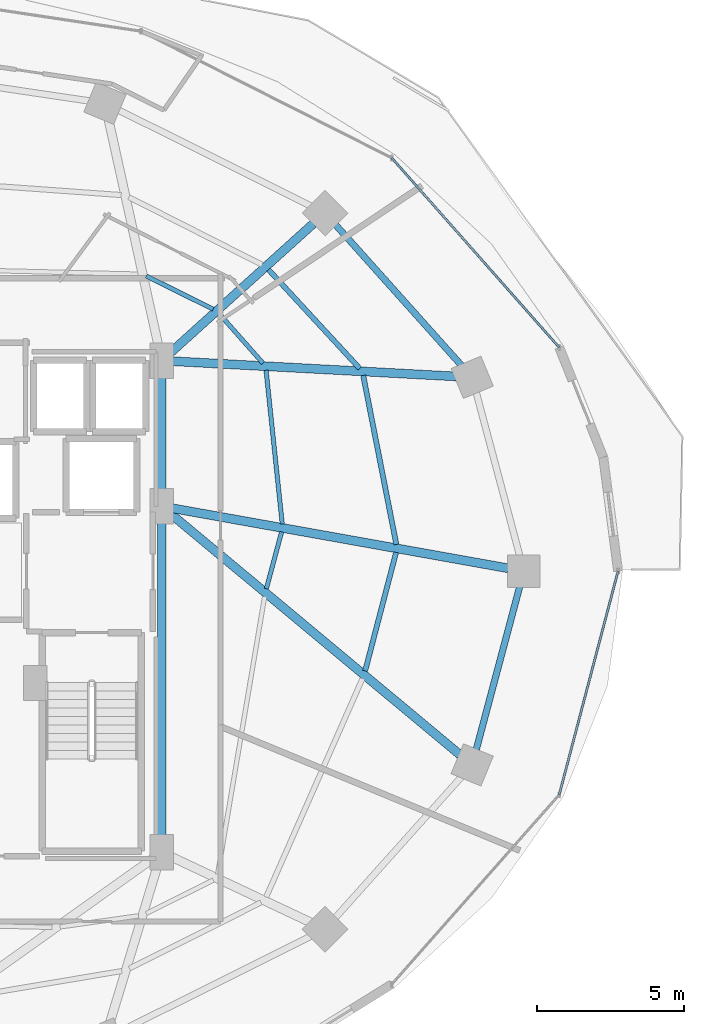
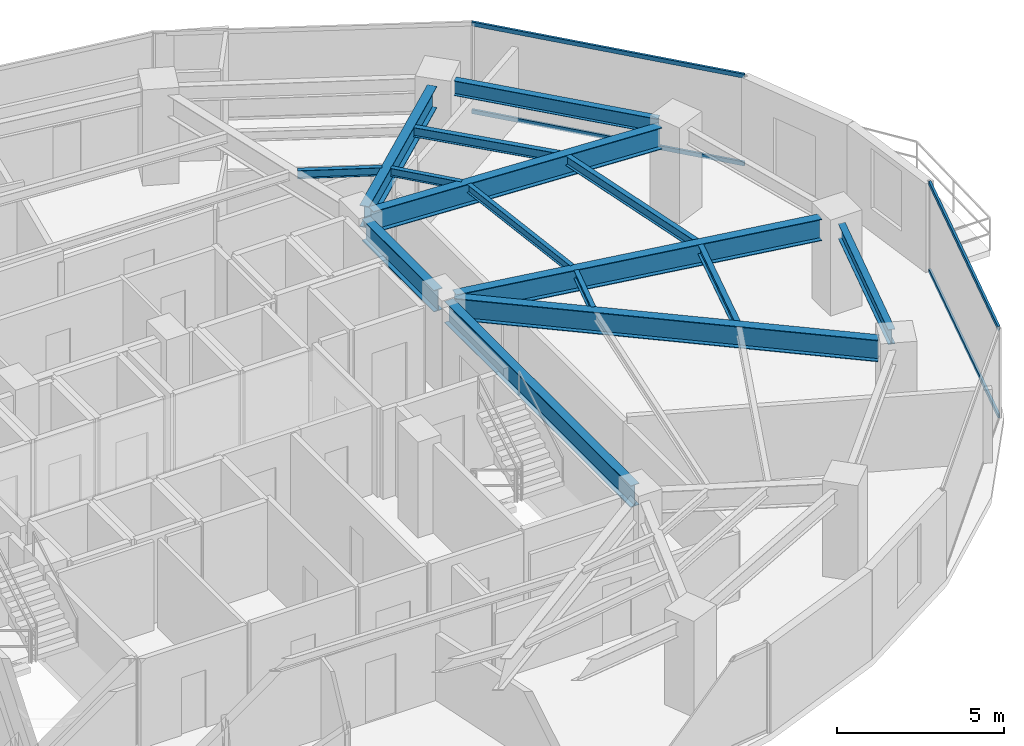
# One storey, part 15 of 29: 15 beams, 4 members, 2 elements without a shape of their own.
"""IFC4 building model written with IfcOpenShell, lengths in metres."""

from ifc_helpers import new_model, si_unit, direction, frame, origin, origin_2d, place, context, subcontext, project, spatial, hollow_rectangle, i_section, extrude, material, material_profile, profile_set, type_object, element, aggregate, save


model = new_model("IFC4")

# Units and contexts
model_context = context("Model", 3, precision=1e-05, world=origin(), true_north=direction((0.0, 1.0)))
body_context = subcontext(model_context, "Body", "Model", "MODEL_VIEW")
ifc_project = project(units=[si_unit("LENGTHUNIT", "METRE"), si_unit("AREAUNIT", "SQUARE_METRE"), si_unit("VOLUMEUNIT", "CUBIC_METRE"), si_unit("PLANEANGLEUNIT", "RADIAN"), si_unit("MASSUNIT", "GRAM", prefix="KILO")], contexts=[model_context])

# Site, building, storey
site_placement = place(None, origin())
site = spatial("IfcSite", under=ifc_project, at=site_placement, CompositionType="ELEMENT")
building_placement = place(site_placement, origin())
building = spatial("IfcBuilding", under=site, at=building_placement, Name="Vorneva Point Tower", CompositionType="ELEMENT")
storey_placement = place(building_placement, frame((0.0, 0.0, 85.800048828125)))
storey = spatial("IfcBuildingStorey", under=building, at=storey_placement, Name="L22", CompositionType="ELEMENT", Elevation=85.800048828125)

# Beams
ifc_material_1 = material(Name="Steel S355", Category="steel")
ifc_material_profile_1 = material_profile(ifc_material_1, i_section(OverallWidth=0.300048828125, OverallDepth=0.7880859375, WebThickness=0.014404296875, FlangeThickness=0.02197265625, at=origin_2d()), Name="80Sh1")
ifc_profile_set_1 = profile_set([ifc_material_profile_1], Name="Steel S355")
beam_type_1 = type_object("IfcBeamType", Name="BM-GRD-80Sh1", PredefinedType="USERDEFINED", material=ifc_profile_set_1)
beam_1_placement = place(storey_placement, frame((60.5205078125, 26.0947265625, 2.845947265625), z_axis=(-0.984378310682, 0.176066298476, 0.0), x_axis=(-0.176066298476, -0.984378310682, 0.0)))
element("IfcBeam", 1, at=beam_1_placement, inside=storey, type_object=beam_type_1, Name="L22 Radial Primary Girder 01", ObjectType="GIRDER", PredefinedType="USERDEFINED", context=body_context, shape_type="SweptSolid", body=[
    extrude(i_section(OverallWidth=0.300048828125, OverallDepth=0.7880859375, WebThickness=0.014404296875, FlangeThickness=0.02197265625, at=origin_2d()), origin(), (0.0, 0.0, 1.0), 11.6171875),
])
beam_2_placement = place(storey_placement, frame((58.75830078125, 32.611083984375, 2.845947265625), z_axis=(-0.998554075878, 0.053756465161, 0.0), x_axis=(-0.053756465161, -0.998554075878, 0.0)))
element("IfcBeam", 2, at=beam_2_placement, inside=storey, type_object=beam_type_1, Name="L22 Radial Primary Girder 02", ObjectType="GIRDER", PredefinedType="USERDEFINED", context=body_context, shape_type="SweptSolid", body=[
    extrude(i_section(OverallWidth=0.300048828125, OverallDepth=0.7880859375, WebThickness=0.014404296875, FlangeThickness=0.02197265625, at=origin_2d()), origin(), (0.0, 0.0, 1.0), 9.6826171875),
])
beam_3_placement = place(storey_placement, frame((53.899658203125, 37.801513671875, 2.845947265625), z_axis=(-0.742097300344, -0.670292172729, 0.0), x_axis=(0.670292172729, -0.742097300344, 0.0)))
element("IfcBeam", 3, at=beam_3_placement, inside=storey, type_object=beam_type_1, Name="L22 Radial Primary Girder 03", ObjectType="GIRDER", PredefinedType="USERDEFINED", context=body_context, shape_type="SweptSolid", body=[
    extrude(i_section(OverallWidth=0.300048828125, OverallDepth=0.7880859375, WebThickness=0.014404296875, FlangeThickness=0.02197265625, at=origin_2d()), origin(), (0.0, 0.0, 1.0), 6.599365234375),
])
beam_4_placement = place(storey_placement, frame((58.882080078125, 19.76220703125, 2.845947265625), z_axis=(-0.768431550428, 0.639931990376, 0.0), x_axis=(-0.639931990376, -0.768431550428, 0.0)))
element("IfcBeam", 4, at=beam_4_placement, inside=storey, type_object=beam_type_1, Name="L22 Radial Primary Girder 16", ObjectType="GIRDER", PredefinedType="USERDEFINED", context=body_context, shape_type="SweptSolid", body=[
    extrude(i_section(OverallWidth=0.300048828125, OverallDepth=0.7880859375, WebThickness=0.014404296875, FlangeThickness=0.02197265625, at=origin_2d()), origin(), (0.0, 0.0, 1.0), 12.845458984375),
])
beam_5_placement = place(storey_placement, frame((48.75, 16.77001953125, 2.845947265625), z_axis=(0.0, 1.0, 0.0), x_axis=(-1.0, 0.0, 0.0)))
element("IfcBeam", 5, at=beam_5_placement, inside=storey, type_object=beam_type_1, Name="L22 Core Tie Girder CT3", ObjectType="GIRDER", PredefinedType="USERDEFINED", context=body_context, shape_type="SweptSolid", body=[
    extrude(i_section(OverallWidth=0.300048828125, OverallDepth=0.7880859375, WebThickness=0.014404296875, FlangeThickness=0.02197265625, at=origin_2d()), origin(), (0.0, 0.0, 1.0), 11.10986328125),
])
beam_6_placement = place(storey_placement, frame((48.75, 28.52001953125, 2.845947265625), z_axis=(0.0, 1.0, 0.0), x_axis=(-1.0, 0.0, 0.0)))
element("IfcBeam", 6, at=beam_6_placement, inside=storey, type_object=beam_type_1, Name="L22 Core Tie Girder CT4", ObjectType="GIRDER", PredefinedType="USERDEFINED", context=body_context, shape_type="SweptSolid", body=[
    extrude(i_section(OverallWidth=0.300048828125, OverallDepth=0.7880859375, WebThickness=0.014404296875, FlangeThickness=0.02197265625, at=origin_2d()), origin(), (0.0, 0.0, 1.0), 4.31005859375),
])
ifc_material_profile_2 = material_profile(ifc_material_1, i_section(OverallWidth=0.14892578125, OverallDepth=0.298095703125, WebThickness=0.005615234375, FlangeThickness=0.008056640625, at=origin_2d()), Name="30B1")
ifc_profile_set_2 = profile_set([ifc_material_profile_2], Name="Steel S355")
beam_type_2 = type_object("IfcBeamType", Name="BM-JST-30B1", PredefinedType="JOIST", material=ifc_profile_set_2)
beam_7_placement = place(storey_placement, frame((52.843994140625, 27.602294921875, 3.091064453125), z_axis=(-0.10464604788, 0.994509529699, 0.0), x_axis=(-0.994509529699, -0.10464604788, 0.0)))
element("IfcBeam", 7, at=beam_7_placement, inside=storey, type_object=beam_type_2, Name="L22 Secondary Floor Beam 2.01", PredefinedType="JOIST", context=body_context, shape_type="SweptSolid", body=[
    extrude(i_section(OverallWidth=0.14892578125, OverallDepth=0.298095703125, WebThickness=0.005615234375, FlangeThickness=0.008056640625, at=origin_2d()), origin(), (0.0, 0.0, 1.0), 5.249267578125),
])
beam_8_placement = place(storey_placement, frame((52.188720703125, 33.063232421875, 3.091064453125), z_axis=(-0.662684826544, 0.748898404771, 0.0), x_axis=(-0.748898404771, -0.662684826544, 0.0)))
element("IfcBeam", 8, at=beam_8_placement, inside=storey, type_object=beam_type_2, Name="L22 Secondary Floor Beam 2.02", PredefinedType="JOIST", context=body_context, shape_type="SweptSolid", body=[
    extrude(i_section(OverallWidth=0.14892578125, OverallDepth=0.298095703125, WebThickness=0.005615234375, FlangeThickness=0.008056640625, at=origin_2d()), origin(), (0.0, 0.0, 1.0), 2.2314453125),
])
beam_9_placement = place(storey_placement, frame((50.49462890625, 34.89892578125, 3.091064453125), z_axis=(-0.896137449279, 0.443776601456, 0.0), x_axis=(-0.443776601456, -0.896137449279, 0.0)))
element("IfcBeam", 9, at=beam_9_placement, inside=storey, type_object=beam_type_2, Name="L22 Secondary Floor Beam 2.03", PredefinedType="JOIST", context=body_context, shape_type="SweptSolid", body=[
    extrude(i_section(OverallWidth=0.14892578125, OverallDepth=0.298095703125, WebThickness=0.005615234375, FlangeThickness=0.008056640625, at=origin_2d()), origin(), (0.0, 0.0, 1.0), 2.53125),
])
beam_10_placement = place(storey_placement, frame((52.304443359375, 25.403076171875, 3.091064453125), z_axis=(0.25952628154, 0.965736045299, 0.0), x_axis=(-0.965736045299, 0.25952628154, 0.0)))
element("IfcBeam", 10, at=beam_10_placement, inside=storey, type_object=beam_type_2, Name="L22 Secondary Floor Beam 2.16", PredefinedType="JOIST", context=body_context, shape_type="SweptSolid", body=[
    extrude(i_section(OverallWidth=0.14892578125, OverallDepth=0.298095703125, WebThickness=0.005615234375, FlangeThickness=0.008056640625, at=origin_2d()), origin(), (0.0, 0.0, 1.0), 1.9970703125),
])
ifc_material_profile_3 = material_profile(ifc_material_1, i_section(OverallWidth=0.174072265625, OverallDepth=0.345947265625, WebThickness=0.006103515625, FlangeThickness=0.009033203125, at=origin_2d()), Name="35B1")
ifc_profile_set_3 = profile_set([ifc_material_profile_3], Name="Steel S355")
beam_type_3 = type_object("IfcBeamType", Name="BM-SEC-35B1", PredefinedType="BEAM", material=ifc_profile_set_3)
beam_11_placement = place(storey_placement, frame((56.72021484375, 26.905029296875, 3.06689453125), z_axis=(-0.192456211841, 0.981305562261, 0.0), x_axis=(-0.981305562261, -0.192456211841, 0.0)))
element("IfcBeam", 11, at=beam_11_placement, inside=storey, type_object=beam_type_3, Name="L22 Secondary Floor Beam 1.01", PredefinedType="BEAM", context=body_context, shape_type="SweptSolid", body=[
    extrude(i_section(OverallWidth=0.174072265625, OverallDepth=0.345947265625, WebThickness=0.006103515625, FlangeThickness=0.009033203125, at=origin_2d()), origin(), (0.0, 0.0, 1.0), 5.851806640625),
])
beam_12_placement = place(storey_placement, frame((55.473876953125, 32.88427734375, 3.06689453125), z_axis=(-0.67812021116, 0.734951004637, 0.0), x_axis=(-0.734951004637, -0.67812021116, 0.0)))
element("IfcBeam", 12, at=beam_12_placement, inside=storey, type_object=beam_type_3, Name="L22 Secondary Floor Beam 1.02", PredefinedType="BEAM", context=body_context, shape_type="SweptSolid", body=[
    extrude(i_section(OverallWidth=0.174072265625, OverallDepth=0.345947265625, WebThickness=0.006103515625, FlangeThickness=0.009033203125, at=origin_2d()), origin(), (0.0, 0.0, 1.0), 4.566650390625),
])
beam_13_placement = place(storey_placement, frame((55.659423828125, 22.6083984375, 3.06689453125), z_axis=(0.252760882145, 0.967528778103, 0.0), x_axis=(-0.967528778103, 0.252760882145, 0.0)))
element("IfcBeam", 13, at=beam_13_placement, inside=storey, type_object=beam_type_3, Name="L22 Secondary Floor Beam 1.16", PredefinedType="BEAM", context=body_context, shape_type="SweptSolid", body=[
    extrude(i_section(OverallWidth=0.174072265625, OverallDepth=0.345947265625, WebThickness=0.006103515625, FlangeThickness=0.009033203125, at=origin_2d()), origin(), (0.0, 0.0, 1.0), 4.1630859375),
])
ifc_material_profile_4 = material_profile(ifc_material_1, i_section(OverallWidth=0.219970703125, OverallDepth=0.54296875, WebThickness=0.009521484375, FlangeThickness=0.013427734375, at=origin_2d()), Name="55B1")
ifc_profile_set_4 = profile_set([ifc_material_profile_4], Name="Steel S355")
beam_type_4 = type_object("IfcBeamType", Name="BM-SPN-55B1", PredefinedType="SPANDREL", material=ifc_profile_set_4)
beam_14_placement = place(storey_placement, frame((58.9384765625, 32.980712890625, 2.968505859375), z_axis=(-0.667073815664, 0.744991627105, 0.0), x_axis=(-0.744991627105, -0.667073815664, 0.0)))
element("IfcBeam", 14, at=beam_14_placement, inside=storey, type_object=beam_type_4, Name="L22 Perimeter Spandrel Ring Beam 02", PredefinedType="SPANDREL", context=body_context, shape_type="SweptSolid", body=[
    extrude(i_section(OverallWidth=0.219970703125, OverallDepth=0.54296875, WebThickness=0.009521484375, FlangeThickness=0.013427734375, at=origin_2d()), origin(), (0.0, 0.0, 1.0), 6.420166015625),
])
beam_15_placement = place(storey_placement, frame((59.43310546875, 19.934814453125, 2.968505859375), z_axis=(0.257572674071, 0.966258928845, 0.0), x_axis=(-0.966258928845, 0.257572674071, 0.0)))
element("IfcBeam", 15, at=beam_15_placement, inside=storey, type_object=beam_type_4, Name="L22 Perimeter Spandrel Ring Beam 16", PredefinedType="SPANDREL", context=body_context, shape_type="SweptSolid", body=[
    extrude(i_section(OverallWidth=0.219970703125, OverallDepth=0.54296875, WebThickness=0.009521484375, FlangeThickness=0.013427734375, at=origin_2d()), origin(), (0.0, 0.0, 1.0), 5.7421875),
])

# Curtain wall, members
ifc_material_2 = material(Name="Pale anodised aluminium", Category="aluminium")
curtain_wall_type = type_object("IfcCurtainWallType", Name="CW-HTL-SYS", PredefinedType="NOTDEFINED", material=ifc_material_2)
curtain_wall_1_placement = place(storey_placement, origin())
curtain_wall_1 = element("IfcCurtainWall", 16, at=curtain_wall_1_placement, inside=storey, type_object=curtain_wall_type, Name="L22 Unitised Curtain Wall CW-L22-R01", PredefinedType="NOTDEFINED")
ifc_material_profile_5 = material_profile(ifc_material_2, hollow_rectangle(XDim=0.074951171875, YDim=0.14990234375, WallThickness=0.00390625, at=origin_2d()), Name="AL-TRN 150x75x4")
ifc_profile_set_5 = profile_set([ifc_material_profile_5], Name="Pale anodised aluminium")
member_type = type_object("IfcMemberType", Name="CW-TRN-150", PredefinedType="USERDEFINED", material=ifc_profile_set_5)
member_1_placement = place(storey_placement, frame((62.251708984375, 33.59619140625, 0.02001953125), z_axis=(-0.662137326257, 0.74938251993, 0.0), x_axis=(-0.74938251993, -0.662137326257, 0.0)))
member_1 = element("IfcMember", 17, at=member_1_placement, type_object=member_type, Name="CW-L22-R01 Transom 01.1", ObjectType="TRANSOM", PredefinedType="USERDEFINED", context=body_context, shape_type="SweptSolid", body=[
    extrude(hollow_rectangle(XDim=0.074951171875, YDim=0.14990234375, WallThickness=0.00390625, at=origin_2d()), origin(), (0.0, 0.0, 1.0), 8.59375),
])
member_2_placement = place(storey_placement, frame((62.251708984375, 33.59619140625, 3.219970703125), z_axis=(-0.662137326257, 0.74938251993, 0.0), x_axis=(-0.74938251993, -0.662137326257, 0.0)))
member_2 = element("IfcMember", 18, at=member_2_placement, type_object=member_type, Name="CW-L22-R01 Transom 01.2", ObjectType="TRANSOM", PredefinedType="USERDEFINED", context=body_context, shape_type="SweptSolid", body=[
    extrude(hollow_rectangle(XDim=0.074951171875, YDim=0.14990234375, WallThickness=0.00390625, at=origin_2d()), origin(), (0.0, 0.0, 1.0), 8.59375),
])
aggregate(curtain_wall_1, [member_1, member_2])

curtain_wall_2_placement = place(storey_placement, origin())
curtain_wall_2 = element("IfcCurtainWall", 19, at=curtain_wall_2_placement, inside=storey, type_object=curtain_wall_type, Name="L22 Unitised Curtain Wall CW-L22-R04", PredefinedType="NOTDEFINED")
member_3_placement = place(storey_placement, frame((62.251708984375, 18.40380859375, 0.02001953125), z_axis=(0.254409150465, 0.967096677773, 0.0), x_axis=(-0.967096677773, 0.254409150465, 0.0)))
member_3 = element("IfcMember", 20, at=member_3_placement, type_object=member_type, Name="CW-L22-R04 Transom 02.1", ObjectType="TRANSOM", PredefinedType="USERDEFINED", context=body_context, shape_type="SweptSolid", body=[
    extrude(hollow_rectangle(XDim=0.074951171875, YDim=0.14990234375, WallThickness=0.00390625, at=origin_2d()), origin(), (0.0, 0.0, 1.0), 7.854736328125),
])
member_4_placement = place(storey_placement, frame((62.251708984375, 18.40380859375, 3.219970703125), z_axis=(0.254409150465, 0.967096677773, 0.0), x_axis=(-0.967096677773, 0.254409150465, 0.0)))
member_4 = element("IfcMember", 21, at=member_4_placement, type_object=member_type, Name="CW-L22-R04 Transom 02.2", ObjectType="TRANSOM", PredefinedType="USERDEFINED", context=body_context, shape_type="SweptSolid", body=[
    extrude(hollow_rectangle(XDim=0.074951171875, YDim=0.14990234375, WallThickness=0.00390625, at=origin_2d()), origin(), (0.0, 0.0, 1.0), 7.854736328125),
])
aggregate(curtain_wall_2, [member_3, member_4])

save(model, "model.ifc")
